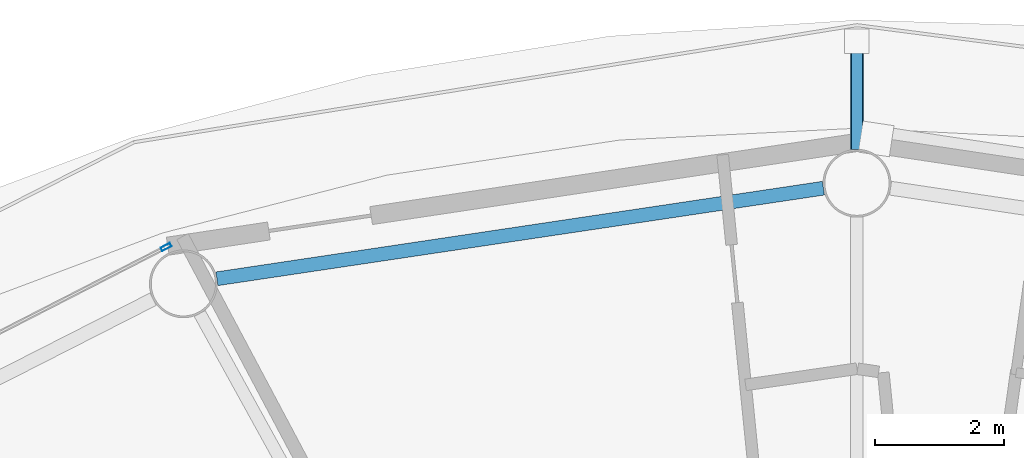
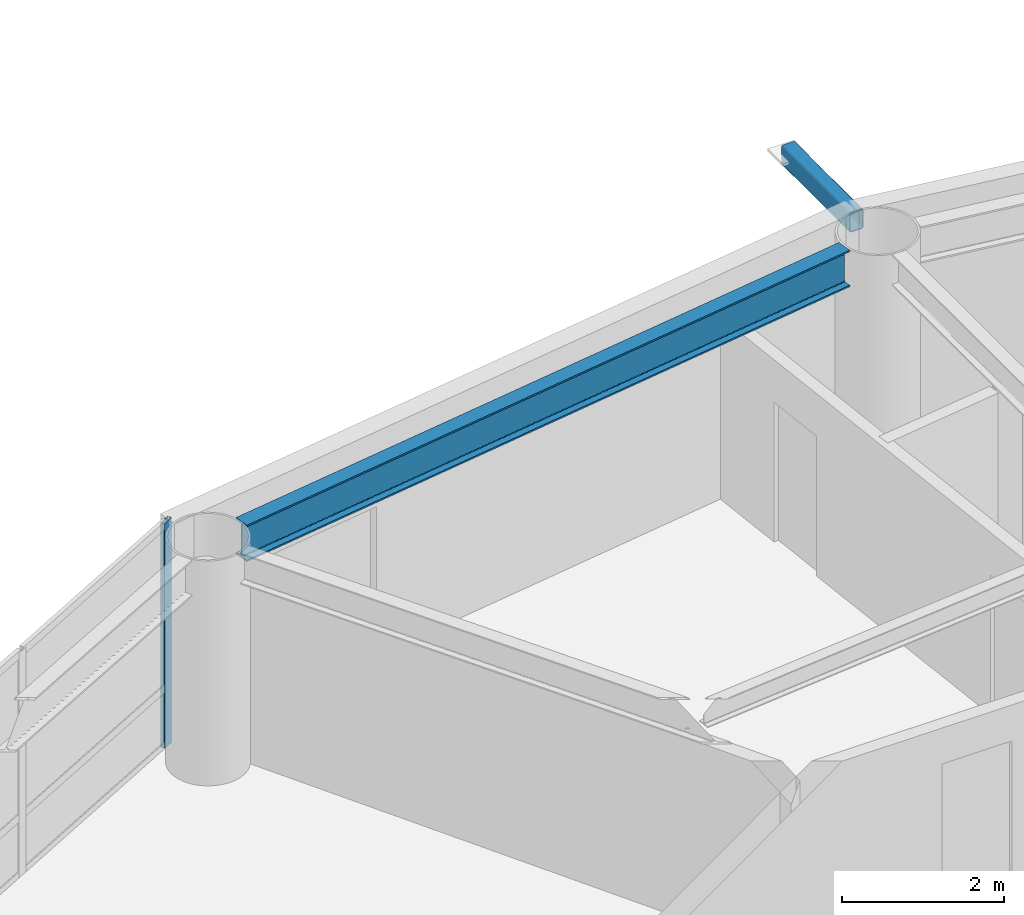
# One storey, part 13 of 27: 2 members, 1 beam, 1 element without a shape of its own.
"""IFC4 building model written with IfcOpenShell, lengths in metres."""

from ifc_helpers import new_model, si_unit, direction, frame, origin, origin_2d, place, context, subcontext, project, spatial, hollow_rectangle, i_section, extrude, material, layer, layer_set, material_profile, profile_set, type_object, element, aggregate, save


model = new_model("IFC4")

# Units and contexts
model_context = context("Model", 3, precision=1e-05, world=origin(), true_north=direction((0.0, 1.0)))
body_context = subcontext(model_context, "Body", "Model", "MODEL_VIEW")
ifc_project = project(units=[si_unit("LENGTHUNIT", "METRE"), si_unit("AREAUNIT", "SQUARE_METRE"), si_unit("VOLUMEUNIT", "CUBIC_METRE"), si_unit("PLANEANGLEUNIT", "RADIAN"), si_unit("MASSUNIT", "GRAM", prefix="KILO")], contexts=[model_context])

# Site, building, storey
site_placement = place(None, origin())
site = spatial("IfcSite", under=ifc_project, at=site_placement, CompositionType="ELEMENT")
building_placement = place(site_placement, origin())
building = spatial("IfcBuilding", under=site, at=building_placement, Name="Sarneth Arch Tower", CompositionType="ELEMENT")
storey_placement = place(building_placement, frame((0.0, 0.0, 157.800048828125)))
storey = spatial("IfcBuildingStorey", under=building, at=storey_placement, Name="L39", CompositionType="ELEMENT", Elevation=157.800048828125)

# Beam
ifc_material_1 = material(Name="Steel S355", Category="steel")
ifc_material_profile_1 = material_profile(ifc_material_1, i_section(OverallWidth=0.214111328125, OverallDepth=0.549072265625, WebThickness=0.0146484375, FlangeThickness=0.023681640625, FilletRadius=0.01806640625, at=origin_2d()), Name="W530x138")
ifc_profile_set_1 = profile_set([ifc_material_profile_1], Name="Steel S355")
beam_type = type_object("IfcBeamType", Name="BM-RAD-530A", PredefinedType="BEAM", material=ifc_profile_set_1)
beam_placement = place(storey_placement, frame((47.480712890625, 62.37255859375, 3.10546875), z_axis=(-0.989027145133, -0.14773390332, 0.0), x_axis=(0.14773390332, -0.989027145133, 0.0)))
element("IfcBeam", 1, at=beam_placement, inside=storey, type_object=beam_type, Name="L39 Perimeter spandrel beam 05", PredefinedType="BEAM", context=body_context, shape_type="SweptSolid", body=[
    extrude(i_section(OverallWidth=0.214111328125, OverallDepth=0.549072265625, WebThickness=0.0146484375, FlangeThickness=0.023681640625, FilletRadius=0.01806640625, at=origin_2d()), origin(), (0.0, 0.0, 1.0), 9.4873046875),
])

# Curtain wall, member
ifc_material_2 = material(Name="Anodised aluminium Type AA25 and solar-control low-e laminated IGU", Category="aluminium")
ifc_layer = layer(ifc_material_2, 0.169921875)
ifc_layer_set = layer_set([ifc_layer], Name="Anodised aluminium Type AA25 and solar-control low-e laminated IGU")
curtain_wall_type = type_object("IfcCurtainWallType", Name="CW-RES-MID", PredefinedType="NOTDEFINED", material=ifc_layer_set)
curtain_wall_placement = place(storey_placement, origin())
curtain_wall = element("IfcCurtainWall", 2, at=curtain_wall_placement, inside=storey, type_object=curtain_wall_type, Name="L39 Unitised curtain wall facet 06", PredefinedType="NOTDEFINED")
ifc_material_3 = material(Name="Anodised Aluminium 6063-T6", Category="aluminium")
ifc_material_profile_2 = material_profile(ifc_material_3, hollow_rectangle(XDim=0.06005859375, YDim=0.159912109375, WallThickness=0.00390625, at=origin_2d()), Name="AL-MULL-160x60x4")
ifc_profile_set_2 = profile_set([ifc_material_profile_2], Name="Anodised Aluminium 6063-T6")
member_type_1 = type_object("IfcMemberType", Name="CW-MULLION", PredefinedType="MULLION", material=ifc_profile_set_2)
member_1_placement = place(storey_placement, frame((37.310546875, 61.461669921875, 0.0), z_axis=(0.0, 0.0, 1.0), x_axis=(0.456208470329, -0.88987293003, 0.0)))
member_1 = element("IfcMember", 3, at=member_1_placement, type_object=member_type_1, Name="CW-SYS-5 mullion 1", PredefinedType="MULLION", context=body_context, shape_type="SweptSolid", body=[
    extrude(hollow_rectangle(XDim=0.06005859375, YDim=0.159912109375, WallThickness=0.00390625, at=origin_2d()), origin(), (0.0, 0.0, 1.0), 3.3798828125),
])
aggregate(curtain_wall, [member_1])

# Member
ifc_material_4 = material(Name="Steel S355", Category="steel")
ifc_material_profile_3 = material_profile(ifc_material_4, hollow_rectangle(XDim=0.199951171875, YDim=0.300048828125, WallThickness=0.012451171875, InnerFilletRadius=0.018798828125, OuterFilletRadius=0.03125, at=origin_2d()), Name="RHS300x200x12.5")
ifc_profile_set_3 = profile_set([ifc_material_profile_3], Name="Steel S355")
member_type_2 = type_object("IfcMemberType", Name="MEM-CANT-STRUT", PredefinedType="STRUT", material=ifc_profile_set_3)
member_2_placement = place(storey_placement, frame((48.0, 62.97509765625, 3.219970703125), z_axis=(0.0, 1.0, 0.0), x_axis=(-1.0, 0.0, 0.0)))
element("IfcMember", 4, at=member_2_placement, inside=storey, type_object=member_type_2, Name="L39 Balcony cantilever bracket 05", PredefinedType="STRUT", context=body_context, shape_type="SweptSolid", body=[
    extrude(hollow_rectangle(XDim=0.199951171875, YDim=0.300048828125, WallThickness=0.012451171875, InnerFilletRadius=0.018798828125, OuterFilletRadius=0.03125, at=origin_2d()), origin(), (0.0, 0.0, 1.0), 1.673095703125),
])

save(model, "model.ifc")
